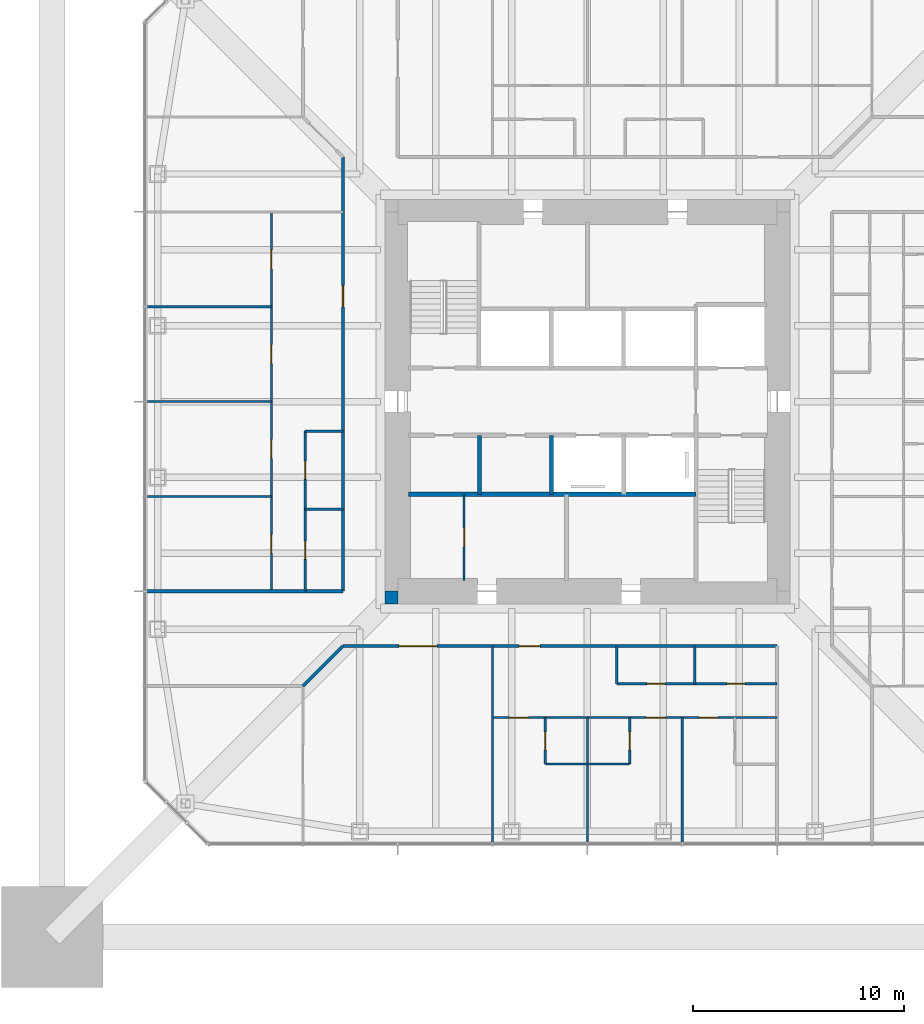
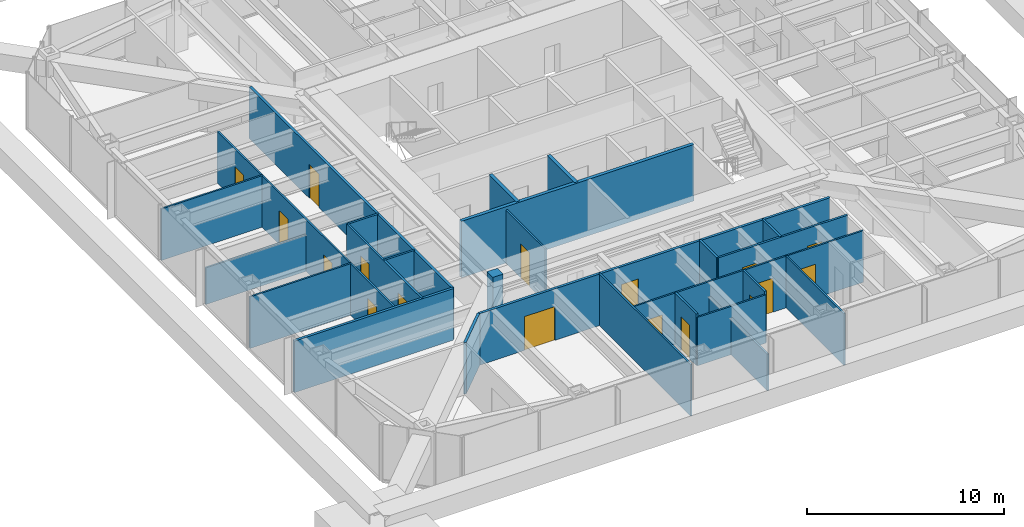
# One storey, part 13 of 20: 26 walls, 17 doors, 17 openings.
"""IFC4 building model written with IfcOpenShell, lengths in metres."""

from ifc_helpers import new_model, si_unit, direction, frame, frame_2d, origin, place, context, subcontext, project, spatial, rectangle, extrude, material, layer, layer_set, type_object, element, fill, save


model = new_model("IFC4")

# Units and contexts
model_context = context("Model", 3, precision=1e-05, world=origin(), true_north=direction((0.0, 1.0)))
body_context = subcontext(model_context, "Body", "Model", "MODEL_VIEW")
ifc_project = project(units=[si_unit("LENGTHUNIT", "METRE"), si_unit("AREAUNIT", "SQUARE_METRE"), si_unit("VOLUMEUNIT", "CUBIC_METRE"), si_unit("PLANEANGLEUNIT", "RADIAN"), si_unit("MASSUNIT", "GRAM", prefix="KILO")], contexts=[model_context])

# Site, building, storey
site_placement = place(None, origin())
site = spatial("IfcSite", under=ifc_project, at=site_placement, CompositionType="ELEMENT")
building_placement = place(site_placement, origin())
building = spatial("IfcBuilding", under=site, at=building_placement, Name="Iwan Alto Co-Living Towers", CompositionType="ELEMENT")
storey_placement = place(building_placement, frame((0.0, 0.0, 140.0)))
storey = spatial("IfcBuildingStorey", under=building, at=storey_placement, Name="L38", CompositionType="ELEMENT", Elevation=140.0)

# Wall, openings, doors
ifc_material_1 = material(Name="Gypsum board")
ifc_layer_1 = layer(ifc_material_1, 0.02490234375, Name="Board", Category="Finish")
ifc_material_2 = material(Name="Steel ASTM A1003 ST33H cold-formed studs", Category="steel")
ifc_layer_2 = layer(ifc_material_2, 0.10009765625, Name="Studs", Category="Framing")
ifc_layer_3 = layer(ifc_material_1, 0.02490234375, Name="Board", Category="Finish")
ifc_layer_set_1 = layer_set([ifc_layer_1, ifc_layer_2, ifc_layer_3], Name="CORRIDOR WALL 150")
wall_type_1 = type_object("IfcWallType", Name="CORRIDOR WALL 150", PredefinedType="PARTITIONING", material=ifc_layer_set_1)
wall_1_placement = place(storey_placement, frame((-11.60009765625, -11.60009765625, 0.0), z_axis=(0.0, 0.0, 1.0), x_axis=(1.0, 0.0, 0.0)))
wall_1 = element("IfcWall", 1, at=wall_1_placement, inside=storey, type_object=wall_type_1, Name="Partition L38", PredefinedType="PARTITIONING", context=body_context, shape_type="SweptSolid", body=[
    extrude(rectangle(XDim=20.60009765625, YDim=0.14990234375, at=frame_2d((10.300048828125, 0.0))), origin(), (0.0, 0.0, 1.0), 3.199951171875),
])
opening_1_placement = place(wall_1_placement, frame((2.64990234375, 0.0, 0.0)))
opening_1 = element("IfcOpeningElement", 2, at=opening_1_placement, cuts=wall_1, Name="Opening D9", PredefinedType="OPENING", context=body_context, shape_type="SweptSolid", body=[
    extrude(rectangle(XDim=1.800048828125, YDim=2.10009765625, at=frame_2d((0.89990234375, 1.050048828125))), frame((0.0, 0.0849609375, 0.0), z_axis=(0.0, -1.0, 0.0), x_axis=(1.0, 0.0, 0.0)), (0.0, 0.0, 1.0), 0.169921875),
])
opening_2_placement = place(wall_1_placement, frame((8.35009765625, 0.0, 0.0)))
opening_2 = element("IfcOpeningElement", 3, at=opening_2_placement, cuts=wall_1, Name="Opening D3", PredefinedType="OPENING", context=body_context, shape_type="SweptSolid", body=[
    extrude(rectangle(XDim=1.0, YDim=2.10009765625, at=frame_2d((0.5, 1.050048828125))), frame((0.0, 0.0849609375, 0.0), z_axis=(0.0, -1.0, 0.0), x_axis=(1.0, 0.0, 0.0)), (0.0, 0.0, 1.0), 0.169921875),
])
ifc_material_3 = material(Name="Steel frame with timber leaf", Category="steel")
door_type_1 = type_object("IfcDoorType", Name="FLAT ENTRANCE DOOR FD30S 1000X2100", OperationType="SINGLE_SWING_LEFT", PredefinedType="DOOR", material=ifc_material_3)
door_1_placement = place(opening_2_placement, frame((1.0, 0.0, 0.0), z_axis=(0.0, 0.0, 1.0), x_axis=(-1.0, 0.0, 0.0)))
door_1 = element("IfcDoor", 4, at=door_1_placement, inside=storey, type_object=door_type_1, Name="Cluster lounge and shared kitchen door L38", OperationType="SINGLE_SWING_RIGHT", OverallHeight=2.10009765625, OverallWidth=1.0, PredefinedType="DOOR", context=body_context, shape_type="SweptSolid", body=[
    extrude(rectangle(XDim=1.0, YDim=2.10009765625, at=frame_2d((0.5, 1.050048828125))), frame((0.0, 0.02490234375, 0.0), z_axis=(0.0, -1.0, 0.0), x_axis=(1.0, 0.0, 0.0)), (0.0, 0.0, 1.0), 0.050048828125),
])
fill(opening_2, door_1)
ifc_material_4 = material(Name="Steel frame with timber leaf", Category="steel")
door_type_2 = type_object("IfcDoorType", Name="LOUNGE DOOR FD30S 1800X2100", OperationType="DOUBLE_DOOR_SINGLE_SWING", PredefinedType="DOOR", material=ifc_material_4)
door_2_placement = place(opening_1_placement, frame((1.800048828125, 0.0, 0.0), z_axis=(0.0, 0.0, 1.0), x_axis=(-1.0, 0.0, 0.0)))
door_2 = element("IfcDoor", 5, at=door_2_placement, inside=storey, type_object=door_type_2, Name="Study commons door L38", OperationType="DOUBLE_DOOR_SINGLE_SWING", OverallHeight=2.10009765625, OverallWidth=1.800048828125, PredefinedType="DOOR", context=body_context, shape_type="SweptSolid", body=[
    extrude(rectangle(XDim=1.800048828125, YDim=2.10009765625, at=frame_2d((0.89990234375, 1.050048828125))), frame((0.0, 0.02490234375, 0.0), z_axis=(0.0, -1.0, 0.0), x_axis=(1.0, 0.0, 0.0)), (0.0, 0.0, 1.0), 0.050048828125),
])
fill(opening_1, door_2)

# Walls
wall_2_placement = place(storey_placement, frame((-20.93994140625, -9.0, 0.0), z_axis=(0.0, 0.0, 1.0), x_axis=(1.0, 0.0, 0.0)))
element("IfcWall", 6, at=wall_2_placement, inside=storey, type_object=wall_type_1, Name="Partition L38", PredefinedType="PARTITIONING", context=body_context, shape_type="SweptSolid", body=[
    extrude(rectangle(XDim=9.33984375, YDim=0.14990234375, at=frame_2d((4.669921875, 0.0))), origin(), (0.0, 0.0, 1.0), 3.199951171875),
])
wall_3_placement = place(storey_placement, frame((-13.5, -13.5, 0.0), z_axis=(0.0, 0.0, 1.0), x_axis=(0.707106781187, 0.707106781187, 0.0)))
element("IfcWall", 7, at=wall_3_placement, inside=storey, type_object=wall_type_1, Name="Partition L38", PredefinedType="PARTITIONING", context=body_context, shape_type="SweptSolid", body=[
    extrude(rectangle(XDim=2.686767578125, YDim=0.14990234375, at=frame_2d((1.34326171875, 0.0))), origin(), (0.0, 0.0, 1.0), 3.199951171875),
])

# Wall, opening, door
wall_4_placement = place(storey_placement, frame((-11.60009765625, -9.0, 0.0), z_axis=(0.0, 0.0, 1.0), x_axis=(0.0, 1.0, 0.0)))
wall_4 = element("IfcWall", 8, at=wall_4_placement, inside=storey, type_object=wall_type_1, Name="Partition L38", PredefinedType="PARTITIONING", context=body_context, shape_type="SweptSolid", body=[
    extrude(rectangle(XDim=20.60009765625, YDim=0.14990234375, at=frame_2d((10.300048828125, 0.0))), origin(), (0.0, 0.0, 1.0), 3.199951171875),
])
opening_3_placement = place(wall_4_placement, frame((13.5, 0.0, 0.0)))
opening_3 = element("IfcOpeningElement", 9, at=opening_3_placement, cuts=wall_4, Name="Opening D3", PredefinedType="OPENING", context=body_context, shape_type="SweptSolid", body=[
    extrude(rectangle(XDim=1.0, YDim=2.10009765625, at=frame_2d((0.5, 1.050048828125))), frame((0.0, 0.0849609375, 0.0), z_axis=(0.0, -1.0, 0.0), x_axis=(1.0, 0.0, 0.0)), (0.0, 0.0, 1.0), 0.169921875),
])
door_3_placement = place(opening_3_placement, origin())
door_3 = element("IfcDoor", 10, at=door_3_placement, inside=storey, type_object=door_type_1, Name="Cluster lounge and shared kitchen door L38", OperationType="SINGLE_SWING_RIGHT", OverallHeight=2.10009765625, OverallWidth=1.0, PredefinedType="DOOR", context=body_context, shape_type="SweptSolid", body=[
    extrude(rectangle(XDim=1.0, YDim=2.10009765625, at=frame_2d((0.5, 1.050048828125))), frame((0.0, 0.02490234375, 0.0), z_axis=(0.0, -1.0, 0.0), x_axis=(1.0, 0.0, 0.0)), (0.0, 0.0, 1.0), 0.050048828125),
])
fill(opening_3, door_3)

# Wall
ifc_layer_4 = layer(ifc_material_1, 0.012451171875, Name="Board", Category="Finish")
ifc_layer_5 = layer(ifc_material_2, 0.074951171875, Name="Studs", Category="Framing")
ifc_layer_6 = layer(ifc_material_1, 0.012451171875, Name="Board", Category="Finish")
ifc_layer_set_2 = layer_set([ifc_layer_4, ifc_layer_5, ifc_layer_6], Name="PARTITION 100")
wall_type_2 = type_object("IfcWallType", Name="PARTITION 100", PredefinedType="PARTITIONING", material=ifc_layer_set_2)
wall_5_placement = place(storey_placement, frame((-2.0, -17.199951171875, 0.0), z_axis=(0.0, 0.0, 1.0), x_axis=(1.0, 0.0, 0.0)))
element("IfcWall", 11, at=wall_5_placement, inside=storey, type_object=wall_type_2, Name="Partition L38", PredefinedType="PARTITIONING", context=body_context, shape_type="SweptSolid", body=[
    extrude(rectangle(XDim=4.0, YDim=0.10009765625, at=frame_2d((2.0, 0.0))), origin(), (0.0, 0.0, 1.0), 3.0),
])

# Wall, openings, doors
wall_6_placement = place(storey_placement, frame((-4.5, -15.0, 0.0), z_axis=(0.0, 0.0, 1.0), x_axis=(1.0, 0.0, 0.0)))
wall_6 = element("IfcWall", 12, at=wall_6_placement, inside=storey, type_object=wall_type_2, Name="Partition L38", PredefinedType="PARTITIONING", context=body_context, shape_type="SweptSolid", body=[
    extrude(rectangle(XDim=13.5, YDim=0.10009765625, at=frame_2d((6.75, 0.0))), origin(), (0.0, 0.0, 1.0), 3.199951171875),
])
opening_4_placement = place(wall_6_placement, frame((0.800048828125, 0.0, 0.0)))
opening_4 = element("IfcOpeningElement", 13, at=opening_4_placement, cuts=wall_6, Name="Opening D1", PredefinedType="OPENING", context=body_context, shape_type="SweptSolid", body=[
    extrude(rectangle(XDim=0.89990234375, YDim=2.10009765625, at=frame_2d((0.449951171875, 1.050048828125))), frame((0.0, 0.06005859375, 0.0), z_axis=(0.0, -1.0, 0.0), x_axis=(1.0, 0.0, 0.0)), (0.0, 0.0, 1.0), 0.1201171875),
])
opening_5_placement = place(wall_6_placement, frame((7.300048828125, 0.0, 0.0)))
opening_5 = element("IfcOpeningElement", 14, at=opening_5_placement, cuts=wall_6, Name="Opening D1", PredefinedType="OPENING", context=body_context, shape_type="SweptSolid", body=[
    extrude(rectangle(XDim=0.89990234375, YDim=2.10009765625, at=frame_2d((0.449951171875, 1.050048828125))), frame((0.0, 0.06005859375, 0.0), z_axis=(0.0, -1.0, 0.0), x_axis=(1.0, 0.0, 0.0)), (0.0, 0.0, 1.0), 0.1201171875),
])
opening_6_placement = place(wall_6_placement, frame((9.800048828125, 0.0, 0.0)))
opening_6 = element("IfcOpeningElement", 15, at=opening_6_placement, cuts=wall_6, Name="Opening D1", PredefinedType="OPENING", context=body_context, shape_type="SweptSolid", body=[
    extrude(rectangle(XDim=0.89990234375, YDim=2.10009765625, at=frame_2d((0.449951171875, 1.050048828125))), frame((0.0, 0.06005859375, 0.0), z_axis=(0.0, -1.0, 0.0), x_axis=(1.0, 0.0, 0.0)), (0.0, 0.0, 1.0), 0.1201171875),
])
ifc_material_5 = material(Name="Timber leaf in steel frame", Category="steel")
door_type_3 = type_object("IfcDoorType", Name="BEDROOM DOOR 900X2100", OperationType="SINGLE_SWING_LEFT", PredefinedType="DOOR", material=ifc_material_5)
door_4_placement = place(opening_4_placement, origin())
door_4 = element("IfcDoor", 16, at=door_4_placement, inside=storey, type_object=door_type_3, Name="Study bedroom door L38", OperationType="SINGLE_SWING_LEFT", OverallHeight=2.10009765625, OverallWidth=0.89990234375, PredefinedType="DOOR", context=body_context, shape_type="SweptSolid", body=[
    extrude(rectangle(XDim=0.89990234375, YDim=2.10009765625, at=frame_2d((0.449951171875, 1.050048828125))), frame((0.0, 0.02490234375, 0.0), z_axis=(0.0, -1.0, 0.0), x_axis=(1.0, 0.0, 0.0)), (0.0, 0.0, 1.0), 0.050048828125),
])
fill(opening_4, door_4)
door_5_placement = place(opening_5_placement, origin())
door_5 = element("IfcDoor", 17, at=door_5_placement, inside=storey, type_object=door_type_3, Name="Study bedroom door L38", OperationType="SINGLE_SWING_RIGHT", OverallHeight=2.10009765625, OverallWidth=0.89990234375, PredefinedType="DOOR", context=body_context, shape_type="SweptSolid", body=[
    extrude(rectangle(XDim=0.89990234375, YDim=2.10009765625, at=frame_2d((0.449951171875, 1.050048828125))), frame((0.0, 0.02490234375, 0.0), z_axis=(0.0, -1.0, 0.0), x_axis=(1.0, 0.0, 0.0)), (0.0, 0.0, 1.0), 0.050048828125),
])
fill(opening_5, door_5)
door_6_placement = place(opening_6_placement, origin())
door_6 = element("IfcDoor", 18, at=door_6_placement, inside=storey, type_object=door_type_3, Name="Study bedroom door L38", OperationType="SINGLE_SWING_RIGHT", OverallHeight=2.10009765625, OverallWidth=0.89990234375, PredefinedType="DOOR", context=body_context, shape_type="SweptSolid", body=[
    extrude(rectangle(XDim=0.89990234375, YDim=2.10009765625, at=frame_2d((0.449951171875, 1.050048828125))), frame((0.0, 0.02490234375, 0.0), z_axis=(0.0, -1.0, 0.0), x_axis=(1.0, 0.0, 0.0)), (0.0, 0.0, 1.0), 0.050048828125),
])
fill(opening_6, door_6)

# Walls
wall_7_placement = place(storey_placement, frame((-20.93994140625, -4.5, 0.0), z_axis=(0.0, 0.0, 1.0), x_axis=(1.0, 0.0, 0.0)))
element("IfcWall", 19, at=wall_7_placement, inside=storey, type_object=wall_type_2, Name="Partition L38", PredefinedType="PARTITIONING", context=body_context, shape_type="SweptSolid", body=[
    extrude(rectangle(XDim=5.93994140625, YDim=0.10009765625, at=frame_2d((2.969970703125, 0.0))), origin(), (0.0, 0.0, 1.0), 3.199951171875),
])
wall_8_placement = place(storey_placement, frame((-20.93994140625, 0.0, 0.0), z_axis=(0.0, 0.0, 1.0), x_axis=(1.0, 0.0, 0.0)))
element("IfcWall", 20, at=wall_8_placement, inside=storey, type_object=wall_type_2, Name="Partition L38", PredefinedType="PARTITIONING", context=body_context, shape_type="SweptSolid", body=[
    extrude(rectangle(XDim=5.93994140625, YDim=0.10009765625, at=frame_2d((2.969970703125, 0.0))), origin(), (0.0, 0.0, 1.0), 2.27294921875),
])
for number, where, z_axis, x_axis, name in (
    (21, (-20.93994140625, 4.5, 0.0), (0.0, 0.0, 1.0), (1.0, 0.0, 0.0), "Partition L38"),
    (22, (4.5, -20.93994140625, 0.0), (0.0, 0.0, 1.0), (0.0, 1.0, 0.0), "Partition L38"),
):
    element("IfcWall", number, at=place(storey_placement, frame(where, z_axis=z_axis, x_axis=x_axis)), inside=storey, type_object=wall_type_2, Name=name, PredefinedType="PARTITIONING", context=body_context, shape_type="SweptSolid", body=[
        extrude(rectangle(XDim=5.93994140625, YDim=0.10009765625, at=frame_2d((2.969970703125, 0.0))), origin(), (0.0, 0.0, 1.0), 3.199951171875),
    ])
wall_9_placement = place(storey_placement, frame((0.0, -20.93994140625, 0.0), z_axis=(0.0, 0.0, 1.0), x_axis=(0.0, 1.0, 0.0)))
element("IfcWall", 23, at=wall_9_placement, inside=storey, type_object=wall_type_2, Name="Partition L38", PredefinedType="PARTITIONING", context=body_context, shape_type="SweptSolid", body=[
    extrude(rectangle(XDim=5.93994140625, YDim=0.10009765625, at=frame_2d((2.969970703125, 0.0))), origin(), (0.0, 0.0, 1.0), 2.27294921875),
])
wall_10_placement = place(storey_placement, frame((-4.5, -20.93994140625, 0.0), z_axis=(0.0, 0.0, 1.0), x_axis=(0.0, 1.0, 0.0)))
element("IfcWall", 24, at=wall_10_placement, inside=storey, type_object=wall_type_2, Name="Partition L38", PredefinedType="PARTITIONING", context=body_context, shape_type="SweptSolid", body=[
    extrude(rectangle(XDim=9.33984375, YDim=0.10009765625, at=frame_2d((4.669921875, 0.0))), origin(), (0.0, 0.0, 1.0), 3.199951171875),
])

# Wall, opening, door
wall_11_placement = place(storey_placement, frame((-5.85009765625, -8.489990234375, 0.0), z_axis=(0.0, 0.0, 1.0), x_axis=(0.0, 1.0, 0.0)))
wall_11 = element("IfcWall", 25, at=wall_11_placement, inside=storey, type_object=wall_type_2, Name="Partition L38", PredefinedType="PARTITIONING", context=body_context, shape_type="SweptSolid", body=[
    extrude(rectangle(XDim=4.090087890625, YDim=0.10009765625, at=frame_2d((2.044921875, 0.0))), origin(), (0.0, 0.0, 1.0), 3.300048828125),
])
opening_7_placement = place(wall_11_placement, frame((1.594970703125, 0.0, 0.0)))
opening_7 = element("IfcOpeningElement", 26, at=opening_7_placement, cuts=wall_11, Name="Opening D16", PredefinedType="OPENING", context=body_context, shape_type="SweptSolid", body=[
    extrude(rectangle(XDim=0.89990234375, YDim=2.10009765625, at=frame_2d((0.449951171875, 1.050048828125))), frame((0.0, 0.06005859375, 0.0), z_axis=(0.0, -1.0, 0.0), x_axis=(1.0, 0.0, 0.0)), (0.0, 0.0, 1.0), 0.1201171875),
])
ifc_material_6 = material(Name="Timber leaf in steel frame", Category="steel")
door_type_4 = type_object("IfcDoorType", Name="CUPBOARD SLIDING DOOR 900X2100", OperationType="SLIDING_TO_LEFT", PredefinedType="DOOR", material=ifc_material_6)
door_7_placement = place(opening_7_placement, origin())
door_7 = element("IfcDoor", 27, at=door_7_placement, inside=storey, type_object=door_type_4, Name="Recycling store door L38", OperationType="SLIDING_TO_LEFT", OverallHeight=2.10009765625, OverallWidth=0.89990234375, PredefinedType="DOOR", context=body_context, shape_type="SweptSolid", body=[
    extrude(rectangle(XDim=0.89990234375, YDim=2.10009765625, at=frame_2d((0.449951171875, 1.050048828125))), frame((0.0, 0.02490234375, 0.0), z_axis=(0.0, -1.0, 0.0), x_axis=(1.0, 0.0, 0.0)), (0.0, 0.0, 1.0), 0.050048828125),
])
fill(opening_7, door_7)

# Wall, openings, doors
wall_12_placement = place(storey_placement, frame((-15.0, -9.0, 0.0), z_axis=(0.0, 0.0, 1.0), x_axis=(0.0, 1.0, 0.0)))
wall_12 = element("IfcWall", 28, at=wall_12_placement, inside=storey, type_object=wall_type_2, Name="Partition L38", PredefinedType="PARTITIONING", context=body_context, shape_type="SweptSolid", body=[
    extrude(rectangle(XDim=18.0, YDim=0.10009765625, at=frame_2d((9.0, 0.0))), origin(), (0.0, 0.0, 1.0), 3.199951171875),
])
opening_8_placement = place(wall_12_placement, frame((15.300048828125, 0.0, 0.0)))
opening_8 = element("IfcOpeningElement", 29, at=opening_8_placement, cuts=wall_12, Name="Opening D1", PredefinedType="OPENING", context=body_context, shape_type="SweptSolid", body=[
    extrude(rectangle(XDim=0.89990234375, YDim=2.10009765625, at=frame_2d((0.449951171875, 1.050048828125))), frame((0.0, 0.06005859375, 0.0), z_axis=(0.0, -1.0, 0.0), x_axis=(1.0, 0.0, 0.0)), (0.0, 0.0, 1.0), 0.1201171875),
])
opening_9_placement = place(wall_12_placement, frame((10.800048828125, 0.0, 0.0)))
opening_9 = element("IfcOpeningElement", 30, at=opening_9_placement, cuts=wall_12, Name="Opening D1", PredefinedType="OPENING", context=body_context, shape_type="SweptSolid", body=[
    extrude(rectangle(XDim=0.89990234375, YDim=2.10009765625, at=frame_2d((0.449951171875, 1.050048828125))), frame((0.0, 0.06005859375, 0.0), z_axis=(0.0, -1.0, 0.0), x_axis=(1.0, 0.0, 0.0)), (0.0, 0.0, 1.0), 0.1201171875),
])
opening_10_placement = place(wall_12_placement, frame((6.300048828125, 0.0, 0.0)))
opening_10 = element("IfcOpeningElement", 31, at=opening_10_placement, cuts=wall_12, Name="Opening D1", PredefinedType="OPENING", context=body_context, shape_type="SweptSolid", body=[
    extrude(rectangle(XDim=0.89990234375, YDim=2.10009765625, at=frame_2d((0.449951171875, 1.050048828125))), frame((0.0, 0.06005859375, 0.0), z_axis=(0.0, -1.0, 0.0), x_axis=(1.0, 0.0, 0.0)), (0.0, 0.0, 1.0), 0.1201171875),
])
opening_11_placement = place(wall_12_placement, frame((1.800048828125, 0.0, 0.0)))
opening_11 = element("IfcOpeningElement", 32, at=opening_11_placement, cuts=wall_12, Name="Opening D1", PredefinedType="OPENING", context=body_context, shape_type="SweptSolid", body=[
    extrude(rectangle(XDim=0.89990234375, YDim=2.10009765625, at=frame_2d((0.449951171875, 1.050048828125))), frame((0.0, 0.06005859375, 0.0), z_axis=(0.0, -1.0, 0.0), x_axis=(1.0, 0.0, 0.0)), (0.0, 0.0, 1.0), 0.1201171875),
])
door_8_placement = place(opening_8_placement, frame((0.89990234375, 0.0, 0.0), z_axis=(0.0, 0.0, 1.0), x_axis=(-1.0, 0.0, 0.0)))
door_8 = element("IfcDoor", 33, at=door_8_placement, inside=storey, type_object=door_type_3, Name="Study bedroom door L38", OperationType="SINGLE_SWING_LEFT", OverallHeight=2.10009765625, OverallWidth=0.89990234375, PredefinedType="DOOR", context=body_context, shape_type="SweptSolid", body=[
    extrude(rectangle(XDim=0.89990234375, YDim=2.10009765625, at=frame_2d((0.449951171875, 1.050048828125))), frame((0.0, 0.02490234375, 0.0), z_axis=(0.0, -1.0, 0.0), x_axis=(1.0, 0.0, 0.0)), (0.0, 0.0, 1.0), 0.050048828125),
])
fill(opening_8, door_8)
door_9_placement = place(opening_9_placement, frame((0.89990234375, 0.0, 0.0), z_axis=(0.0, 0.0, 1.0), x_axis=(-1.0, 0.0, 0.0)))
door_9 = element("IfcDoor", 34, at=door_9_placement, inside=storey, type_object=door_type_3, Name="Study bedroom door L38", OperationType="SINGLE_SWING_LEFT", OverallHeight=2.10009765625, OverallWidth=0.89990234375, PredefinedType="DOOR", context=body_context, shape_type="SweptSolid", body=[
    extrude(rectangle(XDim=0.89990234375, YDim=2.10009765625, at=frame_2d((0.449951171875, 1.050048828125))), frame((0.0, 0.02490234375, 0.0), z_axis=(0.0, -1.0, 0.0), x_axis=(1.0, 0.0, 0.0)), (0.0, 0.0, 1.0), 0.050048828125),
])
fill(opening_9, door_9)
door_10_placement = place(opening_10_placement, frame((0.89990234375, 0.0, 0.0), z_axis=(0.0, 0.0, 1.0), x_axis=(-1.0, 0.0, 0.0)))
door_10 = element("IfcDoor", 35, at=door_10_placement, inside=storey, type_object=door_type_3, Name="Study bedroom door L38", OperationType="SINGLE_SWING_RIGHT", OverallHeight=2.10009765625, OverallWidth=0.89990234375, PredefinedType="DOOR", context=body_context, shape_type="SweptSolid", body=[
    extrude(rectangle(XDim=0.89990234375, YDim=2.10009765625, at=frame_2d((0.449951171875, 1.050048828125))), frame((0.0, 0.02490234375, 0.0), z_axis=(0.0, -1.0, 0.0), x_axis=(1.0, 0.0, 0.0)), (0.0, 0.0, 1.0), 0.050048828125),
])
fill(opening_10, door_10)
door_11_placement = place(opening_11_placement, frame((0.89990234375, 0.0, 0.0), z_axis=(0.0, 0.0, 1.0), x_axis=(-1.0, 0.0, 0.0)))
door_11 = element("IfcDoor", 36, at=door_11_placement, inside=storey, type_object=door_type_3, Name="Study bedroom door L38", OperationType="SINGLE_SWING_RIGHT", OverallHeight=2.10009765625, OverallWidth=0.89990234375, PredefinedType="DOOR", context=body_context, shape_type="SweptSolid", body=[
    extrude(rectangle(XDim=0.89990234375, YDim=2.10009765625, at=frame_2d((0.449951171875, 1.050048828125))), frame((0.0, 0.02490234375, 0.0), z_axis=(0.0, -1.0, 0.0), x_axis=(1.0, 0.0, 0.0)), (0.0, 0.0, 1.0), 0.050048828125),
])
fill(opening_11, door_11)

# Walls
ifc_material_7 = material(Name="Concrete f'c 70 MPa", Category="concrete")
ifc_layer_7 = layer(ifc_material_7, 0.199951171875)
ifc_layer_set_3 = layer_set([ifc_layer_7], Name="SHAFT WALL 200")
wall_type_3 = type_object("IfcWallType", Name="SHAFT WALL 200", PredefinedType="SOLIDWALL", material=ifc_layer_set_3)
wall_13_placement = place(storey_placement, frame((-8.489990234375, -4.39990234375, 0.0), z_axis=(0.0, 0.0, 1.0), x_axis=(1.0, 0.0, 0.0)))
element("IfcWall", 37, at=wall_13_placement, inside=storey, type_object=wall_type_3, Name="Shaft wall L38", PredefinedType="SOLIDWALL", context=body_context, shape_type="SweptSolid", body=[
    extrude(rectangle(XDim=13.639892578125, YDim=0.199951171875, at=frame_2d((6.81982421875, 0.0))), origin(), (0.0, 0.0, 1.0), 3.5),
])
for number, where, z_axis, x_axis, name in (
    (38, (-1.699951171875, -4.39990234375, 0.0), (0.0, 0.0, 1.0), (0.0, 1.0, 0.0), "Shaft wall L38"),
    (39, (-5.125, -4.39990234375, 0.0), (0.0, 0.0, 1.0), (0.0, 1.0, 0.0), "Shaft wall L38"),
):
    element("IfcWall", number, at=place(storey_placement, frame(where, z_axis=z_axis, x_axis=x_axis)), inside=storey, type_object=wall_type_3, Name=name, PredefinedType="SOLIDWALL", context=body_context, shape_type="SweptSolid", body=[
        extrude(rectangle(XDim=2.7998046875, YDim=0.199951171875, at=frame_2d((1.39990234375, 0.0))), origin(), (0.0, 0.0, 1.0), 3.5),
    ])
ifc_material_8 = material(Name="Concrete f'c 70 MPa", Category="concrete")
ifc_layer_8 = layer(ifc_material_8, 0.60009765625)
ifc_layer_set_4 = layer_set([ifc_layer_8], Name="T1 CORE CORNER FILL 600")
wall_type_4 = type_object("IfcWallType", Name="T1 CORE CORNER FILL 600", PredefinedType="SOLIDWALL", material=ifc_layer_set_4)
wall_14_placement = place(storey_placement, frame((-9.60009765625, -9.300048828125, 0.0), z_axis=(0.0, 0.0, 1.0), x_axis=(1.0, 0.0, 0.0)))
element("IfcWall", 40, at=wall_14_placement, inside=storey, type_object=wall_type_4, Name="T1 core corner SW L38", PredefinedType="SOLIDWALL", context=body_context, shape_type="SweptSolid", body=[
    extrude(rectangle(XDim=0.60009765625, YDim=0.60009765625, at=frame_2d((0.300048828125, 0.0))), origin(), (0.0, 0.0, 1.0), 3.5),
])

# Wall, openings, doors
ifc_material_9 = material(Name="Cement board")
ifc_layer_9 = layer(ifc_material_9, 0.012451171875, Name="Board", Category="Finish")
ifc_layer_10 = layer(ifc_material_2, 0.094970703125, Name="Studs", Category="Framing")
ifc_layer_11 = layer(ifc_material_9, 0.012451171875, Name="Board", Category="Finish")
ifc_layer_set_5 = layer_set([ifc_layer_9, ifc_layer_10, ifc_layer_11], Name="WET AREA PARTITION 120")
wall_type_5 = type_object("IfcWallType", Name="WET AREA PARTITION 120", PredefinedType="PARTITIONING", material=ifc_layer_set_5)
wall_15_placement = place(storey_placement, frame((1.39990234375, -13.39990234375, 0.0), z_axis=(0.0, 0.0, 1.0), x_axis=(1.0, 0.0, 0.0)))
wall_15 = element("IfcWall", 41, at=wall_15_placement, inside=storey, type_object=wall_type_5, Name="Partition L38", PredefinedType="PARTITIONING", context=body_context, shape_type="SweptSolid", body=[
    extrude(rectangle(XDim=7.60009765625, YDim=0.1201171875, at=frame_2d((3.800048828125, 0.0))), origin(), (0.0, 0.0, 1.0), 3.199951171875),
])
opening_12_placement = place(wall_15_placement, frame((1.425048828125, 0.0, 0.0)))
opening_12 = element("IfcOpeningElement", 42, at=opening_12_placement, cuts=wall_15, Name="Opening D2", PredefinedType="OPENING", context=body_context, shape_type="SweptSolid", body=[
    extrude(rectangle(XDim=0.85009765625, YDim=2.10009765625, at=frame_2d((0.425048828125, 1.050048828125))), frame((0.0, 0.070068359375, 0.0), z_axis=(0.0, -1.0, 0.0), x_axis=(1.0, 0.0, 0.0)), (0.0, 0.0, 1.0), 0.14013671875),
])
opening_13_placement = place(wall_15_placement, frame((5.22509765625, 0.0, 0.0)))
opening_13 = element("IfcOpeningElement", 43, at=opening_13_placement, cuts=wall_15, Name="Opening D2", PredefinedType="OPENING", context=body_context, shape_type="SweptSolid", body=[
    extrude(rectangle(XDim=0.85009765625, YDim=2.10009765625, at=frame_2d((0.425048828125, 1.050048828125))), frame((0.0, 0.070068359375, 0.0), z_axis=(0.0, -1.0, 0.0), x_axis=(1.0, 0.0, 0.0)), (0.0, 0.0, 1.0), 0.14013671875),
])
ifc_material_10 = material(Name="Timber leaf in steel frame", Category="steel")
door_type_5 = type_object("IfcDoorType", Name="ROOM DOOR 850X2100", OperationType="SINGLE_SWING_LEFT", PredefinedType="DOOR", material=ifc_material_10)
door_12_placement = place(opening_12_placement, frame((0.85009765625, 0.0, 0.0), z_axis=(0.0, 0.0, 1.0), x_axis=(-1.0, 0.0, 0.0)))
door_12 = element("IfcDoor", 44, at=door_12_placement, inside=storey, type_object=door_type_5, Name="Accessible bathroom door L38", OperationType="SINGLE_SWING_LEFT", OverallHeight=2.10009765625, OverallWidth=0.85009765625, PredefinedType="DOOR", context=body_context, shape_type="SweptSolid", body=[
    extrude(rectangle(XDim=0.85009765625, YDim=2.10009765625, at=frame_2d((0.425048828125, 1.050048828125))), frame((0.0, 0.02490234375, 0.0), z_axis=(0.0, -1.0, 0.0), x_axis=(1.0, 0.0, 0.0)), (0.0, 0.0, 1.0), 0.050048828125),
])
fill(opening_12, door_12)
door_13_placement = place(opening_13_placement, frame((0.85009765625, 0.0, 0.0), z_axis=(0.0, 0.0, 1.0), x_axis=(-1.0, 0.0, 0.0)))
door_13 = element("IfcDoor", 45, at=door_13_placement, inside=storey, type_object=door_type_5, Name="Laundry door L38", OperationType="SINGLE_SWING_LEFT", OverallHeight=2.10009765625, OverallWidth=0.85009765625, PredefinedType="DOOR", context=body_context, shape_type="SweptSolid", body=[
    extrude(rectangle(XDim=0.85009765625, YDim=2.10009765625, at=frame_2d((0.425048828125, 1.050048828125))), frame((0.0, 0.02490234375, 0.0), z_axis=(0.0, -1.0, 0.0), x_axis=(1.0, 0.0, 0.0)), (0.0, 0.0, 1.0), 0.050048828125),
])
fill(opening_13, door_13)

# Walls
for number, where, z_axis, x_axis, name in (
    (46, (-13.39990234375, -5.10009765625, 0.0), (0.0, 0.0, 1.0), (1.0, 0.0, 0.0), "Partition L38"),
    (47, (-13.39990234375, -1.39990234375, 0.0), (0.0, 0.0, 1.0), (1.0, 0.0, 0.0), "Partition L38"),
    (48, (5.10009765625, -13.39990234375, 0.0), (0.0, 0.0, 1.0), (0.0, 1.0, 0.0), "Partition L38"),
):
    element("IfcWall", number, at=place(storey_placement, frame(where, z_axis=z_axis, x_axis=x_axis)), inside=storey, type_object=wall_type_5, Name=name, PredefinedType="PARTITIONING", context=body_context, shape_type="SweptSolid", body=[
        extrude(rectangle(XDim=1.7998046875, YDim=0.1201171875, at=frame_2d((0.89990234375, 0.0))), origin(), (0.0, 0.0, 1.0), 3.199951171875),
    ])

# Wall, opening, door
wall_16_placement = place(storey_placement, frame((2.0, -17.199951171875, 0.0), z_axis=(0.0, 0.0, 1.0), x_axis=(0.0, 1.0, 0.0)))
wall_16 = element("IfcWall", 49, at=wall_16_placement, inside=storey, type_object=wall_type_5, Name="Partition L38", PredefinedType="PARTITIONING", context=body_context, shape_type="SweptSolid", body=[
    extrude(rectangle(XDim=2.199951171875, YDim=0.1201171875, at=frame_2d((1.10009765625, 0.0))), origin(), (0.0, 0.0, 1.0), 3.199951171875),
])
opening_14_placement = place(wall_16_placement, frame((0.675048828125, 0.0, 0.0)))
opening_14 = element("IfcOpeningElement", 50, at=opening_14_placement, cuts=wall_16, Name="Opening D2", PredefinedType="OPENING", context=body_context, shape_type="SweptSolid", body=[
    extrude(rectangle(XDim=0.85009765625, YDim=2.10009765625, at=frame_2d((0.425048828125, 1.050048828125))), frame((0.0, 0.070068359375, 0.0), z_axis=(0.0, -1.0, 0.0), x_axis=(1.0, 0.0, 0.0)), (0.0, 0.0, 1.0), 0.14013671875),
])
door_14_placement = place(opening_14_placement, frame((0.85009765625, 0.0, 0.0), z_axis=(0.0, 0.0, 1.0), x_axis=(-1.0, 0.0, 0.0)))
door_14 = element("IfcDoor", 51, at=door_14_placement, inside=storey, type_object=door_type_5, Name="En-suite shower room door L38", OperationType="SINGLE_SWING_LEFT", OverallHeight=2.10009765625, OverallWidth=0.85009765625, PredefinedType="DOOR", context=body_context, shape_type="SweptSolid", body=[
    extrude(rectangle(XDim=0.85009765625, YDim=2.10009765625, at=frame_2d((0.425048828125, 1.050048828125))), frame((0.0, 0.02490234375, 0.0), z_axis=(0.0, -1.0, 0.0), x_axis=(1.0, 0.0, 0.0)), (0.0, 0.0, 1.0), 0.050048828125),
])
fill(opening_14, door_14)

# Wall
wall_17_placement = place(storey_placement, frame((1.39990234375, -13.39990234375, 0.0), z_axis=(0.0, 0.0, 1.0), x_axis=(0.0, 1.0, 0.0)))
element("IfcWall", 52, at=wall_17_placement, inside=storey, type_object=wall_type_5, Name="Partition L38", PredefinedType="PARTITIONING", context=body_context, shape_type="SweptSolid", body=[
    extrude(rectangle(XDim=1.7998046875, YDim=0.1201171875, at=frame_2d((0.89990234375, 0.0))), origin(), (0.0, 0.0, 1.0), 3.199951171875),
])

# Wall, opening, door
wall_18_placement = place(storey_placement, frame((-2.0, -17.199951171875, 0.0), z_axis=(0.0, 0.0, 1.0), x_axis=(0.0, 1.0, 0.0)))
wall_18 = element("IfcWall", 53, at=wall_18_placement, inside=storey, type_object=wall_type_5, Name="Partition L38", PredefinedType="PARTITIONING", context=body_context, shape_type="SweptSolid", body=[
    extrude(rectangle(XDim=2.199951171875, YDim=0.1201171875, at=frame_2d((1.10009765625, 0.0))), origin(), (0.0, 0.0, 1.0), 3.199951171875),
])
opening_15_placement = place(wall_18_placement, frame((0.675048828125, 0.0, 0.0)))
opening_15 = element("IfcOpeningElement", 54, at=opening_15_placement, cuts=wall_18, Name="Opening D2", PredefinedType="OPENING", context=body_context, shape_type="SweptSolid", body=[
    extrude(rectangle(XDim=0.85009765625, YDim=2.10009765625, at=frame_2d((0.425048828125, 1.050048828125))), frame((0.0, 0.070068359375, 0.0), z_axis=(0.0, -1.0, 0.0), x_axis=(1.0, 0.0, 0.0)), (0.0, 0.0, 1.0), 0.14013671875),
])
door_15_placement = place(opening_15_placement, origin())
door_15 = element("IfcDoor", 55, at=door_15_placement, inside=storey, type_object=door_type_5, Name="En-suite shower room door L38", OperationType="SINGLE_SWING_RIGHT", OverallHeight=2.10009765625, OverallWidth=0.85009765625, PredefinedType="DOOR", context=body_context, shape_type="SweptSolid", body=[
    extrude(rectangle(XDim=0.85009765625, YDim=2.10009765625, at=frame_2d((0.425048828125, 1.050048828125))), frame((0.0, 0.02490234375, 0.0), z_axis=(0.0, -1.0, 0.0), x_axis=(1.0, 0.0, 0.0)), (0.0, 0.0, 1.0), 0.050048828125),
])
fill(opening_15, door_15)

# Wall, openings, doors
wall_19_placement = place(storey_placement, frame((-13.39990234375, -9.0, 0.0), z_axis=(0.0, 0.0, 1.0), x_axis=(0.0, 1.0, 0.0)))
wall_19 = element("IfcWall", 56, at=wall_19_placement, inside=storey, type_object=wall_type_5, Name="Partition L38", PredefinedType="PARTITIONING", context=body_context, shape_type="SweptSolid", body=[
    extrude(rectangle(XDim=7.60009765625, YDim=0.1201171875, at=frame_2d((3.800048828125, 0.0))), origin(), (0.0, 0.0, 1.0), 3.199951171875),
])
opening_16_placement = place(wall_19_placement, frame((5.324951171875, 0.0, 0.0)))
opening_16 = element("IfcOpeningElement", 57, at=opening_16_placement, cuts=wall_19, Name="Opening D2", PredefinedType="OPENING", context=body_context, shape_type="SweptSolid", body=[
    extrude(rectangle(XDim=0.85009765625, YDim=2.10009765625, at=frame_2d((0.425048828125, 1.050048828125))), frame((0.0, 0.070068359375, 0.0), z_axis=(0.0, -1.0, 0.0), x_axis=(1.0, 0.0, 0.0)), (0.0, 0.0, 1.0), 0.14013671875),
])
opening_17_placement = place(wall_19_placement, frame((1.52490234375, 0.0, 0.0)))
opening_17 = element("IfcOpeningElement", 58, at=opening_17_placement, cuts=wall_19, Name="Opening D2", PredefinedType="OPENING", context=body_context, shape_type="SweptSolid", body=[
    extrude(rectangle(XDim=0.85009765625, YDim=2.10009765625, at=frame_2d((0.425048828125, 1.050048828125))), frame((0.0, 0.070068359375, 0.0), z_axis=(0.0, -1.0, 0.0), x_axis=(1.0, 0.0, 0.0)), (0.0, 0.0, 1.0), 0.14013671875),
])
door_16_placement = place(opening_16_placement, origin())
door_16 = element("IfcDoor", 59, at=door_16_placement, inside=storey, type_object=door_type_5, Name="Accessible bathroom door L38", OperationType="SINGLE_SWING_LEFT", OverallHeight=2.10009765625, OverallWidth=0.85009765625, PredefinedType="DOOR", context=body_context, shape_type="SweptSolid", body=[
    extrude(rectangle(XDim=0.85009765625, YDim=2.10009765625, at=frame_2d((0.425048828125, 1.050048828125))), frame((0.0, 0.02490234375, 0.0), z_axis=(0.0, -1.0, 0.0), x_axis=(1.0, 0.0, 0.0)), (0.0, 0.0, 1.0), 0.050048828125),
])
fill(opening_16, door_16)
door_17_placement = place(opening_17_placement, origin())
door_17 = element("IfcDoor", 60, at=door_17_placement, inside=storey, type_object=door_type_5, Name="Laundry door L38", OperationType="SINGLE_SWING_LEFT", OverallHeight=2.10009765625, OverallWidth=0.85009765625, PredefinedType="DOOR", context=body_context, shape_type="SweptSolid", body=[
    extrude(rectangle(XDim=0.85009765625, YDim=2.10009765625, at=frame_2d((0.425048828125, 1.050048828125))), frame((0.0, 0.02490234375, 0.0), z_axis=(0.0, -1.0, 0.0), x_axis=(1.0, 0.0, 0.0)), (0.0, 0.0, 1.0), 0.050048828125),
])
fill(opening_17, door_17)

save(model, "model.ifc")
